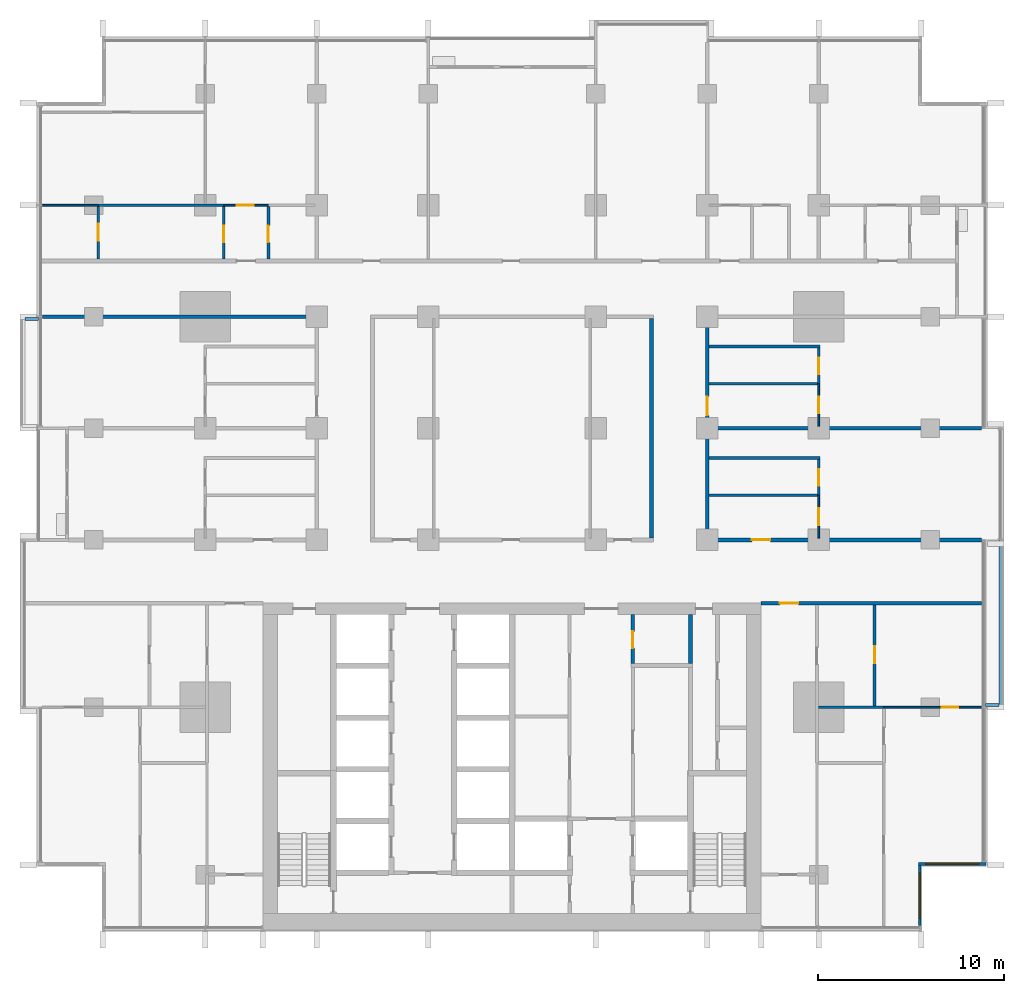
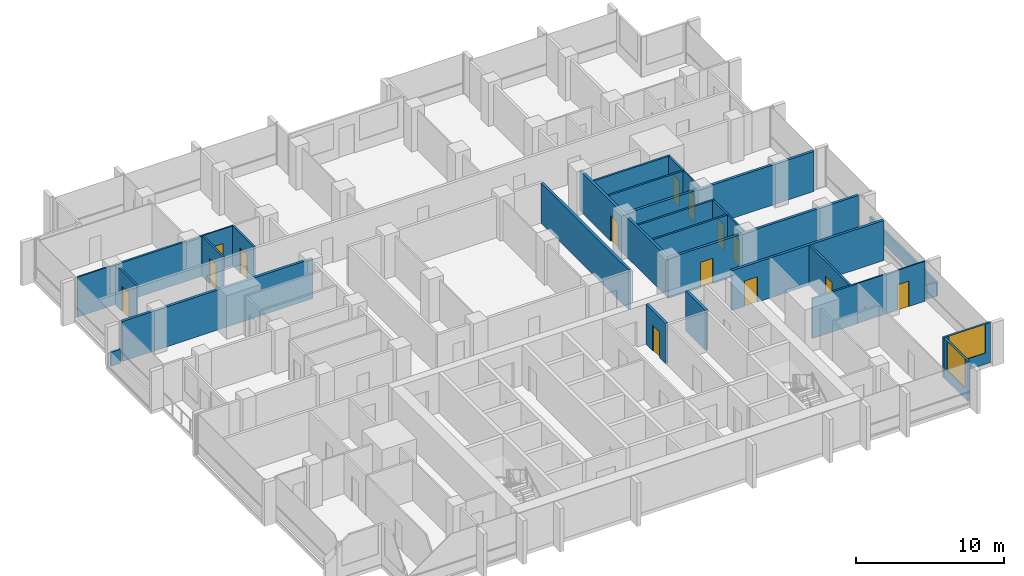
# One storey, part 10 of 17: 30 walls, 14 doors, 2 windows, 16 openings.
"""IFC4 building model written with IfcOpenShell, lengths in metres."""

from ifc_helpers import new_model, si_unit, direction, frame, frame_2d, origin, place, context, subcontext, project, spatial, rectangle, extrude, material, layer, layer_set, type_object, element, fill, save


model = new_model("IFC4")

# Units and contexts
model_context = context("Model", 3, precision=1e-05, world=origin(), true_north=direction((0.0, 1.0)))
body_context = subcontext(model_context, "Body", "Model", "MODEL_VIEW")
ifc_project = project(units=[si_unit("LENGTHUNIT", "METRE"), si_unit("AREAUNIT", "SQUARE_METRE"), si_unit("VOLUMEUNIT", "CUBIC_METRE"), si_unit("PLANEANGLEUNIT", "RADIAN"), si_unit("MASSUNIT", "GRAM", prefix="KILO")], contexts=[model_context])

# Site, building, storey
site_placement = place(None, origin())
site = spatial("IfcSite", under=ifc_project, at=site_placement, CompositionType="ELEMENT")
building_placement = place(site_placement, origin())
building = spatial("IfcBuilding", under=site, at=building_placement, Name="Finial Court Residences", CompositionType="ELEMENT")
storey_placement = place(building_placement, frame((0.0, 0.0, 113.5)))
storey = spatial("IfcBuildingStorey", under=building, at=storey_placement, Name="L28", CompositionType="ELEMENT", Elevation=113.5)

# Wall
ifc_material_1 = material(Name="Gypsum board")
ifc_layer_1 = layer(ifc_material_1, 0.02490234375)
ifc_material_2 = material(Name="Acoustic mineral wool in double frame")
ifc_layer_2 = layer(ifc_material_2, 0.14990234375)
ifc_layer_3 = layer(ifc_material_1, 0.02490234375)
ifc_layer_set_1 = layer_set([ifc_layer_1, ifc_layer_2, ifc_layer_3], Name="Acoustic party wall 200, 1 hour")
wall_type_1 = type_object("IfcWallType", Name="Acoustic party wall 200, 1 hour", PredefinedType="PARTITIONING", material=ifc_layer_set_1)
wall_1_placement = place(storey_placement, frame((10.60009765625, 1.5, 0.0), z_axis=(0.0, 0.0, 1.0), x_axis=(1.0, 0.0, 0.0)))
element("IfcWall", 1, at=wall_1_placement, inside=storey, type_object=wall_type_1, Name="Partition L28-018", PredefinedType="PARTITIONING", context=body_context, shape_type="SweptSolid", body=[
    extrude(rectangle(XDim=14.64990234375, YDim=0.199951171875, at=frame_2d((7.324951171875, 0.0))), origin(), (0.0, 0.0, 1.0), 3.300048828125),
])

# Wall, opening, door
ifc_layer_4 = layer(ifc_material_1, 0.02490234375)
ifc_layer_5 = layer(ifc_material_2, 0.14990234375)
ifc_layer_6 = layer(ifc_material_1, 0.02490234375)
ifc_layer_set_2 = layer_set([ifc_layer_4, ifc_layer_5, ifc_layer_6], Name="Corridor wall 200, 1 hour")
wall_type_2 = type_object("IfcWallType", Name="Corridor wall 200, 1 hour", PredefinedType="PARTITIONING", material=ifc_layer_set_2)
wall_2_placement = place(storey_placement, frame((13.39990234375, -7.89990234375, 0.0), z_axis=(0.0, 0.0, 1.0), x_axis=(1.0, 0.0, 0.0)))
wall_2 = element("IfcWall", 2, at=wall_2_placement, inside=storey, type_object=wall_type_2, Name="Partition L28-009", PredefinedType="PARTITIONING", context=body_context, shape_type="SweptSolid", body=[
    extrude(rectangle(XDim=11.85009765625, YDim=0.199951171875, at=frame_2d((5.925048828125, 0.0))), origin(), (0.0, 0.0, 1.0), 3.300048828125),
])
opening_1_placement = place(wall_2_placement, frame((1.0, 0.0, 0.0)))
opening_1 = element("IfcOpeningElement", 3, at=opening_1_placement, cuts=wall_2, Name="Opening L28-D006", PredefinedType="OPENING", context=body_context, shape_type="SweptSolid", body=[
    extrude(rectangle(XDim=1.0, YDim=2.10009765625, at=frame_2d((0.5, 1.050048828125))), frame((0.0, 0.10986328125, 0.0), z_axis=(0.0, -1.0, 0.0), x_axis=(1.0, 0.0, 0.0)), (0.0, 0.0, 1.0), 0.219970703125),
])
ifc_material_3 = material(Name="Timber door leaf in hollow metal frame", Category="wood")
door_type_1 = type_object("IfcDoorType", Name="Fire door set 1000 x 2100, 30 minutes", OperationType="SINGLE_SWING_LEFT", PredefinedType="DOOR", material=ifc_material_3)
door_1_placement = place(opening_1_placement, origin())
door_1 = element("IfcDoor", 4, at=door_1_placement, inside=storey, type_object=door_type_1, Name="Door L28-D006", OperationType="SINGLE_SWING_LEFT", OverallHeight=2.10009765625, OverallWidth=1.0, PredefinedType="DOOR", context=body_context, shape_type="SweptSolid", body=[
    extrude(rectangle(XDim=1.0, YDim=2.10009765625, at=frame_2d((0.5, 1.050048828125))), frame((0.0, 0.02490234375, 0.0), z_axis=(0.0, -1.0, 0.0), x_axis=(1.0, 0.0, 0.0)), (0.0, 0.0, 1.0), 0.050048828125),
])
fill(opening_1, door_1)

wall_3_placement = place(storey_placement, frame((10.39990234375, -4.5, 0.0), z_axis=(0.0, 0.0, 1.0), x_axis=(1.0, 0.0, 0.0)))
wall_3 = element("IfcWall", 5, at=wall_3_placement, inside=storey, type_object=wall_type_2, Name="Partition L28-012", PredefinedType="PARTITIONING", context=body_context, shape_type="SweptSolid", body=[
    extrude(rectangle(XDim=14.85009765625, YDim=0.199951171875, at=frame_2d((7.425048828125, 0.0))), origin(), (0.0, 0.0, 1.0), 3.300048828125),
])
opening_2_placement = place(wall_3_placement, frame((2.5, 0.0, 0.0)))
opening_2 = element("IfcOpeningElement", 6, at=opening_2_placement, cuts=wall_3, Name="Opening L28-D011", PredefinedType="OPENING", context=body_context, shape_type="SweptSolid", body=[
    extrude(rectangle(XDim=1.0, YDim=2.10009765625, at=frame_2d((0.5, 1.050048828125))), frame((0.0, 0.10986328125, 0.0), z_axis=(0.0, -1.0, 0.0), x_axis=(1.0, 0.0, 0.0)), (0.0, 0.0, 1.0), 0.219970703125),
])
door_2_placement = place(opening_2_placement, origin())
door_2 = element("IfcDoor", 7, at=door_2_placement, inside=storey, type_object=door_type_1, Name="Door L28-D011", OperationType="SINGLE_SWING_RIGHT", OverallHeight=2.10009765625, OverallWidth=1.0, PredefinedType="DOOR", context=body_context, shape_type="SweptSolid", body=[
    extrude(rectangle(XDim=1.0, YDim=2.10009765625, at=frame_2d((0.5, 1.050048828125))), frame((0.0, 0.02490234375, 0.0), z_axis=(0.0, -1.0, 0.0), x_axis=(1.0, 0.0, 0.0)), (0.0, 0.0, 1.0), 0.050048828125),
])
fill(opening_2, door_2)

# Walls
wall_4_placement = place(storey_placement, frame((-25.25, 7.5, 0.0), z_axis=(0.0, 0.0, 1.0), x_axis=(1.0, 0.0, 0.0)))
element("IfcWall", 8, at=wall_4_placement, inside=storey, type_object=wall_type_2, Name="Partition L28-023", PredefinedType="PARTITIONING", context=body_context, shape_type="SweptSolid", body=[
    extrude(rectangle(XDim=14.85009765625, YDim=0.199951171875, at=frame_2d((7.425048828125, 0.0))), origin(), (0.0, 0.0, 1.0), 3.300048828125),
])
wall_5_placement = place(storey_placement, frame((7.5, -4.39990234375, 0.0), z_axis=(0.0, 0.0, 1.0), x_axis=(0.0, 1.0, 0.0)))
element("IfcWall", 9, at=wall_5_placement, inside=storey, type_object=wall_type_2, Name="Partition L28-058", PredefinedType="PARTITIONING", context=body_context, shape_type="SweptSolid", body=[
    extrude(rectangle(XDim=11.7998046875, YDim=0.199951171875, at=frame_2d((5.89990234375, 0.0))), origin(), (0.0, 0.0, 1.0), 3.300048828125),
])

# Wall, opening, door
wall_6_placement = place(storey_placement, frame((10.5, -4.39990234375, 0.0), z_axis=(0.0, 0.0, 1.0), x_axis=(0.0, 1.0, 0.0)))
wall_6 = element("IfcWall", 10, at=wall_6_placement, inside=storey, type_object=wall_type_2, Name="Partition L28-059", PredefinedType="PARTITIONING", context=body_context, shape_type="SweptSolid", body=[
    extrude(rectangle(XDim=11.7998046875, YDim=0.199951171875, at=frame_2d((5.89990234375, 0.0))), origin(), (0.0, 0.0, 1.0), 3.300048828125),
])
opening_3_placement = place(wall_6_placement, frame((6.60009765625, 0.0, 0.0)))
opening_3 = element("IfcOpeningElement", 11, at=opening_3_placement, cuts=wall_6, Name="Opening L28-D036", PredefinedType="OPENING", context=body_context, shape_type="SweptSolid", body=[
    extrude(rectangle(XDim=1.0, YDim=2.10009765625, at=frame_2d((0.5, 1.050048828125))), frame((0.0, 0.10986328125, 0.0), z_axis=(0.0, -1.0, 0.0), x_axis=(1.0, 0.0, 0.0)), (0.0, 0.0, 1.0), 0.219970703125),
])
door_3_placement = place(opening_3_placement, origin())
door_3 = element("IfcDoor", 12, at=door_3_placement, inside=storey, type_object=door_type_1, Name="Door L28-D036", OperationType="SINGLE_SWING_RIGHT", OverallHeight=2.10009765625, OverallWidth=1.0, PredefinedType="DOOR", context=body_context, shape_type="SweptSolid", body=[
    extrude(rectangle(XDim=1.0, YDim=2.10009765625, at=frame_2d((0.5, 1.050048828125))), frame((0.0, 0.02490234375, 0.0), z_axis=(0.0, -1.0, 0.0), x_axis=(1.0, 0.0, 0.0)), (0.0, 0.0, 1.0), 0.050048828125),
])
fill(opening_3, door_3)

ifc_layer_7 = layer(ifc_material_1, 0.012451171875)
ifc_material_4 = material(Name="Mineral wool in light-gauge frame")
ifc_layer_8 = layer(ifc_material_4, 0.074951171875)
ifc_layer_9 = layer(ifc_material_1, 0.012451171875)
ifc_layer_set_3 = layer_set([ifc_layer_7, ifc_layer_8, ifc_layer_9], Name="Gypsum board partition 100")
wall_type_3 = type_object("IfcWallType", Name="Gypsum board partition 100", PredefinedType="PARTITIONING", material=ifc_layer_set_3)
wall_7_placement = place(storey_placement, frame((20.0, -13.5, 0.0), z_axis=(0.0, 0.0, 1.0), x_axis=(1.0, 0.0, 0.0)))
wall_7 = element("IfcWall", 13, at=wall_7_placement, inside=storey, type_object=wall_type_3, Name="Partition L28-005", PredefinedType="PARTITIONING", context=body_context, shape_type="SweptSolid", body=[
    extrude(rectangle(XDim=5.25, YDim=0.10009765625, at=frame_2d((2.625, 0.0))), origin(), (0.0, 0.0, 1.0), 3.300048828125),
])
opening_4_placement = place(wall_7_placement, frame((3.10009765625, 0.0, 0.0)))
opening_4 = element("IfcOpeningElement", 14, at=opening_4_placement, cuts=wall_7, Name="Opening L28-D004", PredefinedType="OPENING", context=body_context, shape_type="SweptSolid", body=[
    extrude(rectangle(XDim=0.89990234375, YDim=2.10009765625, at=frame_2d((0.449951171875, 1.050048828125))), frame((0.0, 0.06005859375, 0.0), z_axis=(0.0, -1.0, 0.0), x_axis=(1.0, 0.0, 0.0)), (0.0, 0.0, 1.0), 0.1201171875),
])
ifc_material_5 = material(Name="Timber door leaf in timber frame", Category="wood")
door_type_2 = type_object("IfcDoorType", Name="Door set 900 x 2100", OperationType="SINGLE_SWING_LEFT", PredefinedType="DOOR", material=ifc_material_5)
door_4_placement = place(opening_4_placement, origin())
door_4 = element("IfcDoor", 15, at=door_4_placement, inside=storey, type_object=door_type_2, Name="Door L28-D004", OperationType="SINGLE_SWING_RIGHT", OverallHeight=2.10009765625, OverallWidth=0.89990234375, PredefinedType="DOOR", context=body_context, shape_type="SweptSolid", body=[
    extrude(rectangle(XDim=0.89990234375, YDim=2.10009765625, at=frame_2d((0.449951171875, 1.050048828125))), frame((0.0, 0.02490234375, 0.0), z_axis=(0.0, -1.0, 0.0), x_axis=(1.0, 0.0, 0.0)), (0.0, 0.0, 1.0), 0.050048828125),
])
fill(opening_4, door_4)

# Wall
wall_8_placement = place(storey_placement, frame((-25.25, 13.5, 0.0), z_axis=(0.0, 0.0, 1.0), x_axis=(1.0, 0.0, 0.0)))
element("IfcWall", 16, at=wall_8_placement, inside=storey, type_object=wall_type_3, Name="Partition L28-027", PredefinedType="PARTITIONING", context=body_context, shape_type="SweptSolid", body=[
    extrude(rectangle(XDim=3.0, YDim=0.10009765625, at=frame_2d((1.5, 0.0))), origin(), (0.0, 0.0, 1.0), 3.300048828125),
])

# Wall, opening, door
wall_9_placement = place(storey_placement, frame((-15.5, 13.5, 0.0), z_axis=(0.0, 0.0, 1.0), x_axis=(1.0, 0.0, 0.0)))
wall_9 = element("IfcWall", 17, at=wall_9_placement, inside=storey, type_object=wall_type_3, Name="Partition L28-028", PredefinedType="PARTITIONING", context=body_context, shape_type="SweptSolid", body=[
    extrude(rectangle(XDim=2.39990234375, YDim=0.10009765625, at=frame_2d((1.199951171875, 0.0))), origin(), (0.0, 0.0, 1.0), 3.300048828125),
])
opening_5_placement = place(wall_9_placement, frame((0.699951171875, 0.0, 0.0)))
opening_5 = element("IfcOpeningElement", 18, at=opening_5_placement, cuts=wall_9, Name="Opening L28-D018", PredefinedType="OPENING", context=body_context, shape_type="SweptSolid", body=[
    extrude(rectangle(XDim=0.89990234375, YDim=2.10009765625, at=frame_2d((0.449951171875, 1.050048828125))), frame((0.0, 0.06005859375, 0.0), z_axis=(0.0, -1.0, 0.0), x_axis=(1.0, 0.0, 0.0)), (0.0, 0.0, 1.0), 0.1201171875),
])
door_5_placement = place(opening_5_placement, origin())
door_5 = element("IfcDoor", 19, at=door_5_placement, inside=storey, type_object=door_type_2, Name="Door L28-D018", OperationType="SINGLE_SWING_RIGHT", OverallHeight=2.10009765625, OverallWidth=0.89990234375, PredefinedType="DOOR", context=body_context, shape_type="SweptSolid", body=[
    extrude(rectangle(XDim=0.89990234375, YDim=2.10009765625, at=frame_2d((0.449951171875, 1.050048828125))), frame((0.0, 0.02490234375, 0.0), z_axis=(0.0, -1.0, 0.0), x_axis=(1.0, 0.0, 0.0)), (0.0, 0.0, 1.0), 0.050048828125),
])
fill(opening_5, door_5)

wall_10_placement = place(storey_placement, frame((16.5, -4.39990234375, 0.0), z_axis=(0.0, 0.0, 1.0), x_axis=(0.0, 1.0, 0.0)))
wall_10 = element("IfcWall", 20, at=wall_10_placement, inside=storey, type_object=wall_type_3, Name="Partition L28-066", PredefinedType="PARTITIONING", context=body_context, shape_type="SweptSolid", body=[
    extrude(rectangle(XDim=2.2998046875, YDim=0.10009765625, at=frame_2d((1.14990234375, 0.0))), origin(), (0.0, 0.0, 1.0), 3.300048828125),
])
opening_6_placement = place(wall_10_placement, frame((0.699951171875, 0.0, 0.0)))
opening_6 = element("IfcOpeningElement", 21, at=opening_6_placement, cuts=wall_10, Name="Opening L28-D038", PredefinedType="OPENING", context=body_context, shape_type="SweptSolid", body=[
    extrude(rectangle(XDim=0.89990234375, YDim=2.10009765625, at=frame_2d((0.449951171875, 1.050048828125))), frame((0.0, 0.06005859375, 0.0), z_axis=(0.0, -1.0, 0.0), x_axis=(1.0, 0.0, 0.0)), (0.0, 0.0, 1.0), 0.1201171875),
])
door_6_placement = place(opening_6_placement, origin())
door_6 = element("IfcDoor", 22, at=door_6_placement, inside=storey, type_object=door_type_2, Name="Door L28-D038", OperationType="SINGLE_SWING_LEFT", OverallHeight=2.10009765625, OverallWidth=0.89990234375, PredefinedType="DOOR", context=body_context, shape_type="SweptSolid", body=[
    extrude(rectangle(XDim=0.89990234375, YDim=2.10009765625, at=frame_2d((0.449951171875, 1.050048828125))), frame((0.0, 0.02490234375, 0.0), z_axis=(0.0, -1.0, 0.0), x_axis=(1.0, 0.0, 0.0)), (0.0, 0.0, 1.0), 0.050048828125),
])
fill(opening_6, door_6)

wall_11_placement = place(storey_placement, frame((16.5, 1.60009765625, 0.0), z_axis=(0.0, 0.0, 1.0), x_axis=(0.0, 1.0, 0.0)))
wall_11 = element("IfcWall", 23, at=wall_11_placement, inside=storey, type_object=wall_type_3, Name="Partition L28-067", PredefinedType="PARTITIONING", context=body_context, shape_type="SweptSolid", body=[
    extrude(rectangle(XDim=2.2998046875, YDim=0.10009765625, at=frame_2d((1.14990234375, 0.0))), origin(), (0.0, 0.0, 1.0), 3.300048828125),
])
opening_7_placement = place(wall_11_placement, frame((0.699951171875, 0.0, 0.0)))
opening_7 = element("IfcOpeningElement", 24, at=opening_7_placement, cuts=wall_11, Name="Opening L28-D039", PredefinedType="OPENING", context=body_context, shape_type="SweptSolid", body=[
    extrude(rectangle(XDim=0.89990234375, YDim=2.10009765625, at=frame_2d((0.449951171875, 1.050048828125))), frame((0.0, 0.06005859375, 0.0), z_axis=(0.0, -1.0, 0.0), x_axis=(1.0, 0.0, 0.0)), (0.0, 0.0, 1.0), 0.1201171875),
])
door_7_placement = place(opening_7_placement, origin())
door_7 = element("IfcDoor", 25, at=door_7_placement, inside=storey, type_object=door_type_2, Name="Door L28-D039", OperationType="SINGLE_SWING_RIGHT", OverallHeight=2.10009765625, OverallWidth=0.89990234375, PredefinedType="DOOR", context=body_context, shape_type="SweptSolid", body=[
    extrude(rectangle(XDim=0.89990234375, YDim=2.10009765625, at=frame_2d((0.449951171875, 1.050048828125))), frame((0.0, 0.02490234375, 0.0), z_axis=(0.0, -1.0, 0.0), x_axis=(1.0, 0.0, 0.0)), (0.0, 0.0, 1.0), 0.050048828125),
])
fill(opening_7, door_7)

# Walls
ifc_material_6 = material(Name="Moisture-resistant gypsum board")
ifc_layer_10 = layer(ifc_material_6, 0.012451171875)
ifc_layer_11 = layer(ifc_material_4, 0.125)
ifc_layer_12 = layer(ifc_material_6, 0.012451171875)
ifc_layer_set_4 = layer_set([ifc_layer_10, ifc_layer_11, ifc_layer_12], Name="Gypsum board wet-area partition 150")
wall_type_4 = type_object("IfcWallType", Name="Gypsum board wet-area partition 150", PredefinedType="PARTITIONING", material=ifc_layer_set_4)
wall_12_placement = place(storey_placement, frame((16.47509765625, -13.5, 0.0), z_axis=(0.0, 0.0, 1.0), x_axis=(1.0, 0.0, 0.0)))
element("IfcWall", 26, at=wall_12_placement, inside=storey, type_object=wall_type_4, Name="Partition L28-007", PredefinedType="PARTITIONING", context=body_context, shape_type="SweptSolid", body=[
    extrude(rectangle(XDim=3.52490234375, YDim=0.14990234375, at=frame_2d((1.762451171875, 0.0))), origin(), (0.0, 0.0, 1.0), 3.300048828125),
])
wall_13_placement = place(storey_placement, frame((10.60009765625, -2.10009765625, 0.0), z_axis=(0.0, 0.0, 1.0), x_axis=(1.0, 0.0, 0.0)))
element("IfcWall", 27, at=wall_13_placement, inside=storey, type_object=wall_type_4, Name="Partition L28-014", PredefinedType="PARTITIONING", context=body_context, shape_type="SweptSolid", body=[
    extrude(rectangle(XDim=5.824951171875, YDim=0.14990234375, at=frame_2d((2.91259765625, 0.0))), origin(), (0.0, 0.0, 1.0), 3.300048828125),
])
wall_14_placement = place(storey_placement, frame((10.60009765625, -0.10009765625, 0.0), z_axis=(0.0, 0.0, 1.0), x_axis=(1.0, 0.0, 0.0)))
element("IfcWall", 28, at=wall_14_placement, inside=storey, type_object=wall_type_4, Name="Partition L28-016", PredefinedType="PARTITIONING", context=body_context, shape_type="SweptSolid", body=[
    extrude(rectangle(XDim=5.974853515625, YDim=0.14990234375, at=frame_2d((2.9873046875, 0.0))), origin(), (0.0, 0.0, 1.0), 3.300048828125),
])
wall_15_placement = place(storey_placement, frame((10.60009765625, 3.89990234375, 0.0), z_axis=(0.0, 0.0, 1.0), x_axis=(1.0, 0.0, 0.0)))
element("IfcWall", 29, at=wall_15_placement, inside=storey, type_object=wall_type_4, Name="Partition L28-020", PredefinedType="PARTITIONING", context=body_context, shape_type="SweptSolid", body=[
    extrude(rectangle(XDim=5.824951171875, YDim=0.14990234375, at=frame_2d((2.91259765625, 0.0))), origin(), (0.0, 0.0, 1.0), 3.300048828125),
])
wall_16_placement = place(storey_placement, frame((10.60009765625, 5.89990234375, 0.0), z_axis=(0.0, 0.0, 1.0), x_axis=(1.0, 0.0, 0.0)))
element("IfcWall", 30, at=wall_16_placement, inside=storey, type_object=wall_type_4, Name="Partition L28-022", PredefinedType="PARTITIONING", context=body_context, shape_type="SweptSolid", body=[
    extrude(rectangle(XDim=5.974853515625, YDim=0.14990234375, at=frame_2d((2.9873046875, 0.0))), origin(), (0.0, 0.0, 1.0), 3.300048828125),
])
wall_17_placement = place(storey_placement, frame((-22.25, 13.5, 0.0), z_axis=(0.0, 0.0, 1.0), x_axis=(1.0, 0.0, 0.0)))
element("IfcWall", 31, at=wall_17_placement, inside=storey, type_object=wall_type_4, Name="Partition L28-031", PredefinedType="PARTITIONING", context=body_context, shape_type="SweptSolid", body=[
    extrude(rectangle(XDim=6.75, YDim=0.14990234375, at=frame_2d((3.375, 0.0))), origin(), (0.0, 0.0, 1.0), 3.300048828125),
])

# Wall, opening, door
wall_18_placement = place(storey_placement, frame((-22.25, 10.60009765625, 0.0), z_axis=(0.0, 0.0, 1.0), x_axis=(0.0, 1.0, 0.0)))
wall_18 = element("IfcWall", 32, at=wall_18_placement, inside=storey, type_object=wall_type_4, Name="Partition L28-037", PredefinedType="PARTITIONING", context=body_context, shape_type="SweptSolid", body=[
    extrude(rectangle(XDim=2.824951171875, YDim=0.14990234375, at=frame_2d((1.41259765625, 0.0))), origin(), (0.0, 0.0, 1.0), 3.300048828125),
])
opening_8_placement = place(wall_18_placement, frame((1.0, 0.0, 0.0)))
opening_8 = element("IfcOpeningElement", 33, at=opening_8_placement, cuts=wall_18, Name="Opening L28-D023", PredefinedType="OPENING", context=body_context, shape_type="SweptSolid", body=[
    extrude(rectangle(XDim=0.89990234375, YDim=2.10009765625, at=frame_2d((0.449951171875, 1.050048828125))), frame((0.0, 0.0849609375, 0.0), z_axis=(0.0, -1.0, 0.0), x_axis=(1.0, 0.0, 0.0)), (0.0, 0.0, 1.0), 0.169921875),
])
door_8_placement = place(opening_8_placement, origin())
door_8 = element("IfcDoor", 34, at=door_8_placement, inside=storey, type_object=door_type_2, Name="Door L28-D023", OperationType="SINGLE_SWING_LEFT", OverallHeight=2.10009765625, OverallWidth=0.89990234375, PredefinedType="DOOR", context=body_context, shape_type="SweptSolid", body=[
    extrude(rectangle(XDim=0.89990234375, YDim=2.10009765625, at=frame_2d((0.449951171875, 1.050048828125))), frame((0.0, 0.02490234375, 0.0), z_axis=(0.0, -1.0, 0.0), x_axis=(1.0, 0.0, 0.0)), (0.0, 0.0, 1.0), 0.050048828125),
])
fill(opening_8, door_8)

wall_19_placement = place(storey_placement, frame((-15.5, 10.60009765625, 0.0), z_axis=(0.0, 0.0, 1.0), x_axis=(0.0, 1.0, 0.0)))
wall_19 = element("IfcWall", 35, at=wall_19_placement, inside=storey, type_object=wall_type_4, Name="Partition L28-049", PredefinedType="PARTITIONING", context=body_context, shape_type="SweptSolid", body=[
    extrude(rectangle(XDim=2.824951171875, YDim=0.14990234375, at=frame_2d((1.41259765625, 0.0))), origin(), (0.0, 0.0, 1.0), 3.300048828125),
])
opening_9_placement = place(wall_19_placement, frame((0.89990234375, 0.0, 0.0)))
opening_9 = element("IfcOpeningElement", 36, at=opening_9_placement, cuts=wall_19, Name="Opening L28-D033", PredefinedType="OPENING", context=body_context, shape_type="SweptSolid", body=[
    extrude(rectangle(XDim=0.89990234375, YDim=2.10009765625, at=frame_2d((0.449951171875, 1.050048828125))), frame((0.0, 0.0849609375, 0.0), z_axis=(0.0, -1.0, 0.0), x_axis=(1.0, 0.0, 0.0)), (0.0, 0.0, 1.0), 0.169921875),
])
door_9_placement = place(opening_9_placement, origin())
door_9 = element("IfcDoor", 37, at=door_9_placement, inside=storey, type_object=door_type_2, Name="Door L28-D033", OperationType="SINGLE_SWING_RIGHT", OverallHeight=2.10009765625, OverallWidth=0.89990234375, PredefinedType="DOOR", context=body_context, shape_type="SweptSolid", body=[
    extrude(rectangle(XDim=0.89990234375, YDim=2.10009765625, at=frame_2d((0.449951171875, 1.050048828125))), frame((0.0, 0.02490234375, 0.0), z_axis=(0.0, -1.0, 0.0), x_axis=(1.0, 0.0, 0.0)), (0.0, 0.0, 1.0), 0.050048828125),
])
fill(opening_9, door_9)

wall_20_placement = place(storey_placement, frame((-13.10009765625, 10.60009765625, 0.0), z_axis=(0.0, 0.0, 1.0), x_axis=(0.0, 1.0, 0.0)))
wall_20 = element("IfcWall", 38, at=wall_20_placement, inside=storey, type_object=wall_type_4, Name="Partition L28-050", PredefinedType="PARTITIONING", context=body_context, shape_type="SweptSolid", body=[
    extrude(rectangle(XDim=2.824951171875, YDim=0.14990234375, at=frame_2d((1.41259765625, 0.0))), origin(), (0.0, 0.0, 1.0), 3.300048828125),
])
opening_10_placement = place(wall_20_placement, frame((0.89990234375, 0.0, 0.0)))
opening_10 = element("IfcOpeningElement", 39, at=opening_10_placement, cuts=wall_20, Name="Opening L28-D034", PredefinedType="OPENING", context=body_context, shape_type="SweptSolid", body=[
    extrude(rectangle(XDim=0.89990234375, YDim=2.10009765625, at=frame_2d((0.449951171875, 1.050048828125))), frame((0.0, 0.0849609375, 0.0), z_axis=(0.0, -1.0, 0.0), x_axis=(1.0, 0.0, 0.0)), (0.0, 0.0, 1.0), 0.169921875),
])
door_10_placement = place(opening_10_placement, origin())
door_10 = element("IfcDoor", 40, at=door_10_placement, inside=storey, type_object=door_type_2, Name="Door L28-D034", OperationType="SINGLE_SWING_LEFT", OverallHeight=2.10009765625, OverallWidth=0.89990234375, PredefinedType="DOOR", context=body_context, shape_type="SweptSolid", body=[
    extrude(rectangle(XDim=0.89990234375, YDim=2.10009765625, at=frame_2d((0.449951171875, 1.050048828125))), frame((0.0, 0.02490234375, 0.0), z_axis=(0.0, -1.0, 0.0), x_axis=(1.0, 0.0, 0.0)), (0.0, 0.0, 1.0), 0.050048828125),
])
fill(opening_10, door_10)

wall_21_placement = place(storey_placement, frame((16.5, -2.10009765625, 0.0), z_axis=(0.0, 0.0, 1.0), x_axis=(0.0, 1.0, 0.0)))
wall_21 = element("IfcWall", 41, at=wall_21_placement, inside=storey, type_object=wall_type_4, Name="Partition L28-069", PredefinedType="PARTITIONING", context=body_context, shape_type="SweptSolid", body=[
    extrude(rectangle(XDim=1.925048828125, YDim=0.14990234375, at=frame_2d((0.96240234375, 0.0))), origin(), (0.0, 0.0, 1.0), 3.300048828125),
])
opening_11_placement = place(wall_21_placement, frame((0.5, 0.0, 0.0)))
opening_11 = element("IfcOpeningElement", 42, at=opening_11_placement, cuts=wall_21, Name="Opening L28-D040", PredefinedType="OPENING", context=body_context, shape_type="SweptSolid", body=[
    extrude(rectangle(XDim=0.89990234375, YDim=2.10009765625, at=frame_2d((0.449951171875, 1.050048828125))), frame((0.0, 0.0849609375, 0.0), z_axis=(0.0, -1.0, 0.0), x_axis=(1.0, 0.0, 0.0)), (0.0, 0.0, 1.0), 0.169921875),
])
door_11_placement = place(opening_11_placement, origin())
door_11 = element("IfcDoor", 43, at=door_11_placement, inside=storey, type_object=door_type_2, Name="Door L28-D040", OperationType="SINGLE_SWING_RIGHT", OverallHeight=2.10009765625, OverallWidth=0.89990234375, PredefinedType="DOOR", context=body_context, shape_type="SweptSolid", body=[
    extrude(rectangle(XDim=0.89990234375, YDim=2.10009765625, at=frame_2d((0.449951171875, 1.050048828125))), frame((0.0, 0.02490234375, 0.0), z_axis=(0.0, -1.0, 0.0), x_axis=(1.0, 0.0, 0.0)), (0.0, 0.0, 1.0), 0.050048828125),
])
fill(opening_11, door_11)

wall_22_placement = place(storey_placement, frame((16.5, 3.89990234375, 0.0), z_axis=(0.0, 0.0, 1.0), x_axis=(0.0, 1.0, 0.0)))
wall_22 = element("IfcWall", 44, at=wall_22_placement, inside=storey, type_object=wall_type_4, Name="Partition L28-070", PredefinedType="PARTITIONING", context=body_context, shape_type="SweptSolid", body=[
    extrude(rectangle(XDim=1.925048828125, YDim=0.14990234375, at=frame_2d((0.96240234375, 0.0))), origin(), (0.0, 0.0, 1.0), 3.300048828125),
])
opening_12_placement = place(wall_22_placement, frame((0.5, 0.0, 0.0)))
opening_12 = element("IfcOpeningElement", 45, at=opening_12_placement, cuts=wall_22, Name="Opening L28-D041", PredefinedType="OPENING", context=body_context, shape_type="SweptSolid", body=[
    extrude(rectangle(XDim=0.89990234375, YDim=2.10009765625, at=frame_2d((0.449951171875, 1.050048828125))), frame((0.0, 0.0849609375, 0.0), z_axis=(0.0, -1.0, 0.0), x_axis=(1.0, 0.0, 0.0)), (0.0, 0.0, 1.0), 0.169921875),
])
door_12_placement = place(opening_12_placement, origin())
door_12 = element("IfcDoor", 46, at=door_12_placement, inside=storey, type_object=door_type_2, Name="Door L28-D041", OperationType="SINGLE_SWING_RIGHT", OverallHeight=2.10009765625, OverallWidth=0.89990234375, PredefinedType="DOOR", context=body_context, shape_type="SweptSolid", body=[
    extrude(rectangle(XDim=0.89990234375, YDim=2.10009765625, at=frame_2d((0.449951171875, 1.050048828125))), frame((0.0, 0.02490234375, 0.0), z_axis=(0.0, -1.0, 0.0), x_axis=(1.0, 0.0, 0.0)), (0.0, 0.0, 1.0), 0.050048828125),
])
fill(opening_12, door_12)

wall_23_placement = place(storey_placement, frame((19.5, -13.425048828125, 0.0), z_axis=(0.0, 0.0, 1.0), x_axis=(0.0, 1.0, 0.0)))
wall_23 = element("IfcWall", 47, at=wall_23_placement, inside=storey, type_object=wall_type_4, Name="Partition L28-072", PredefinedType="PARTITIONING", context=body_context, shape_type="SweptSolid", body=[
    extrude(rectangle(XDim=5.425048828125, YDim=0.14990234375, at=frame_2d((2.71240234375, 0.0))), origin(), (0.0, 0.0, 1.0), 3.300048828125),
])
opening_13_placement = place(wall_23_placement, frame((2.300048828125, 0.0, 0.0)))
opening_13 = element("IfcOpeningElement", 48, at=opening_13_placement, cuts=wall_23, Name="Opening L28-D043", PredefinedType="OPENING", context=body_context, shape_type="SweptSolid", body=[
    extrude(rectangle(XDim=0.89990234375, YDim=2.10009765625, at=frame_2d((0.449951171875, 1.050048828125))), frame((0.0, 0.0849609375, 0.0), z_axis=(0.0, -1.0, 0.0), x_axis=(1.0, 0.0, 0.0)), (0.0, 0.0, 1.0), 0.169921875),
])
door_13_placement = place(opening_13_placement, origin())
door_13 = element("IfcDoor", 49, at=door_13_placement, inside=storey, type_object=door_type_2, Name="Door L28-D043", OperationType="SINGLE_SWING_RIGHT", OverallHeight=2.10009765625, OverallWidth=0.89990234375, PredefinedType="DOOR", context=body_context, shape_type="SweptSolid", body=[
    extrude(rectangle(XDim=0.89990234375, YDim=2.10009765625, at=frame_2d((0.449951171875, 1.050048828125))), frame((0.0, 0.02490234375, 0.0), z_axis=(0.0, -1.0, 0.0), x_axis=(1.0, 0.0, 0.0)), (0.0, 0.0, 1.0), 0.050048828125),
])
fill(opening_13, door_13)

# Walls
ifc_material_7 = material(Name="Concrete C35/45", Category="concrete")
ifc_layer_13 = layer(ifc_material_7, 0.14990234375)
ifc_layer_set_5 = layer_set([ifc_layer_13], Name="Ledge parapet, Concrete C35/45 150")
wall_type_5 = type_object("IfcWallType", Name="Ledge parapet, Concrete C35/45 150", PredefinedType="PARAPET", material=ifc_layer_set_5)
wall_24_placement = place(storey_placement, frame((-26.199951171875, 7.375, 0.0), z_axis=(0.0, 0.0, 1.0), x_axis=(1.0, 0.0, 0.0)))
element("IfcWall", 50, at=wall_24_placement, inside=storey, type_object=wall_type_5, Name="E-L28-LED1-P3", PredefinedType="PARAPET", context=body_context, shape_type="SweptSolid", body=[
    extrude(rectangle(XDim=0.739990234375, YDim=0.14990234375, at=frame_2d((0.3701171875, 0.0))), origin(), (0.0, 0.0, 1.0), 1.14990234375),
])
wall_25_placement = place(storey_placement, frame((26.27490234375, -4.4599609375, 0.0), z_axis=(0.0, 0.0, 1.0), x_axis=(0.0, -1.0, 0.0)))
element("IfcWall", 51, at=wall_25_placement, inside=storey, type_object=wall_type_5, Name="E-L28-LED2-P1", PredefinedType="PARAPET", context=body_context, shape_type="SweptSolid", body=[
    extrude(rectangle(XDim=8.989990234375, YDim=0.14990234375, at=frame_2d((4.4951171875, 0.0))), origin(), (0.0, 0.0, 1.0), 1.14990234375),
])
wall_26_placement = place(storey_placement, frame((26.199951171875, -13.375, 0.0), z_axis=(0.0, 0.0, 1.0), x_axis=(-1.0, 0.0, 0.0)))
element("IfcWall", 52, at=wall_26_placement, inside=storey, type_object=wall_type_5, Name="E-L28-LED2-P2", PredefinedType="PARAPET", context=body_context, shape_type="SweptSolid", body=[
    extrude(rectangle(XDim=0.739990234375, YDim=0.14990234375, at=frame_2d((0.3701171875, 0.0))), origin(), (0.0, 0.0, 1.0), 1.14990234375),
])

# Wall, opening, window
ifc_material_8 = material(Name="Natural limestone", Category="masonry")
ifc_layer_14 = layer(ifc_material_8, 0.14990234375)
ifc_layer_set_6 = layer_set([ifc_layer_14], Name="Limestone clad wall 150")
wall_type_6 = type_object("IfcWallType", Name="Limestone clad wall 150", PredefinedType="SOLIDWALL", material=ifc_layer_set_6)
wall_27_placement = place(storey_placement, frame((21.925048828125, -22.0, 0.0), z_axis=(0.0, 0.0, 1.0), x_axis=(0.0, -1.0, 0.0)))
wall_27 = element("IfcWall", 53, at=wall_27_placement, inside=storey, type_object=wall_type_6, Name="E-L28-NWE15", PredefinedType="SOLIDWALL", context=body_context, shape_type="SweptSolid", body=[
    extrude(rectangle(XDim=3.25, YDim=0.14990234375, at=frame_2d((1.625, 0.0))), origin(), (0.0, 0.0, 1.0), 3.300048828125),
])
opening_14_placement = place(wall_27_placement, frame((0.39990234375, 0.0, 0.89990234375)))
opening_14 = element("IfcOpeningElement", 54, at=opening_14_placement, cuts=wall_27, Name="Opening WE28-03", PredefinedType="OPENING", context=body_context, shape_type="SweptSolid", body=[
    extrude(rectangle(XDim=2.449951171875, YDim=2.39990234375, at=frame_2d((1.22509765625, 1.199951171875))), frame((0.0, 0.0849609375, 0.0), z_axis=(0.0, -1.0, 0.0), x_axis=(1.0, 0.0, 0.0)), (0.0, 0.0, 1.0), 0.169921875),
])
ifc_material_9 = material(Name="Clear low-e glass", Category="glass")
window_type_1 = type_object("IfcWindowType", Name="Corner window 2450 x 2400", PartitioningType="SINGLE_PANEL", PredefinedType="WINDOW", material=ifc_material_9)
window_1_placement = place(opening_14_placement, origin())
window_1 = element("IfcWindow", 55, at=window_1_placement, inside=storey, type_object=window_type_1, Name="E-L28-NWE15-W1", OverallHeight=2.39990234375, OverallWidth=2.449951171875, PartitioningType="SINGLE_PANEL", PredefinedType="WINDOW", context=body_context, shape_type="SweptSolid", body=[
    extrude(rectangle(XDim=2.449951171875, YDim=2.39990234375, at=frame_2d((1.22509765625, 1.199951171875))), frame((0.0, 0.030029296875, 0.0), z_axis=(0.0, -1.0, 0.0), x_axis=(1.0, 0.0, 0.0)), (0.0, 0.0, 1.0), 0.06005859375),
])
fill(opening_14, window_1)

wall_28_placement = place(storey_placement, frame((25.5, -21.925048828125, 0.0), z_axis=(0.0, 0.0, 1.0), x_axis=(-1.0, 0.0, 0.0)))
wall_28 = element("IfcWall", 56, at=wall_28_placement, inside=storey, type_object=wall_type_6, Name="E-L28-NWS16", PredefinedType="SOLIDWALL", context=body_context, shape_type="SweptSolid", body=[
    extrude(rectangle(XDim=3.64990234375, YDim=0.14990234375, at=frame_2d((1.824951171875, 0.0))), origin(), (0.0, 0.0, 1.0), 3.300048828125),
])
opening_15_placement = place(wall_28_placement, frame((0.39990234375, 0.0, 0.89990234375)))
opening_15 = element("IfcOpeningElement", 57, at=opening_15_placement, cuts=wall_28, Name="Opening WE28-04", PredefinedType="OPENING", context=body_context, shape_type="SweptSolid", body=[
    extrude(rectangle(XDim=2.85009765625, YDim=2.39990234375, at=frame_2d((1.425048828125, 1.199951171875))), frame((0.0, 0.0849609375, 0.0), z_axis=(0.0, -1.0, 0.0), x_axis=(1.0, 0.0, 0.0)), (0.0, 0.0, 1.0), 0.169921875),
])
window_type_2 = type_object("IfcWindowType", Name="Corner window 2850 x 2400", PartitioningType="SINGLE_PANEL", PredefinedType="WINDOW", material=ifc_material_9)
window_2_placement = place(opening_15_placement, origin())
window_2 = element("IfcWindow", 58, at=window_2_placement, inside=storey, type_object=window_type_2, Name="E-L28-NWS16-W1", OverallHeight=2.39990234375, OverallWidth=2.85009765625, PartitioningType="SINGLE_PANEL", PredefinedType="WINDOW", context=body_context, shape_type="SweptSolid", body=[
    extrude(rectangle(XDim=2.85009765625, YDim=2.39990234375, at=frame_2d((1.425048828125, 1.199951171875))), frame((0.0, 0.030029296875, 0.0), z_axis=(0.0, -1.0, 0.0), x_axis=(1.0, 0.0, 0.0)), (0.0, 0.0, 1.0), 0.06005859375),
])
fill(opening_15, window_2)

# Wall, opening, door
ifc_material_10 = material(Name="Fire-rated gypsum board partition")
ifc_layer_15 = layer(ifc_material_10, 0.199951171875)
ifc_layer_set_7 = layer_set([ifc_layer_15], Name="Riser room wall 200 EI 120")
wall_type_7 = type_object("IfcWallType", Name="Riser room wall 200 EI 120", PredefinedType="PARTITIONING", material=ifc_layer_set_7)
wall_29_placement = place(storey_placement, frame((6.5, -8.5, 0.0), z_axis=(0.0, 0.0, 1.0), x_axis=(0.0, -1.0, 0.0)))
wall_29 = element("IfcWall", 59, at=wall_29_placement, inside=storey, type_object=wall_type_7, Name="Core partition L28-33", PredefinedType="PARTITIONING", context=body_context, shape_type="SweptSolid", body=[
    extrude(rectangle(XDim=2.64990234375, YDim=0.199951171875, at=frame_2d((1.324951171875, 0.0))), origin(), (0.0, 0.0, 1.0), 3.300048828125),
])
opening_16_placement = place(wall_29_placement, frame((0.925048828125, 0.0, 0.0)))
opening_16 = element("IfcOpeningElement", 60, at=opening_16_placement, cuts=wall_29, Name="Opening L28-C08", PredefinedType="OPENING", context=body_context, shape_type="SweptSolid", body=[
    extrude(rectangle(XDim=0.89990234375, YDim=2.10009765625, at=frame_2d((0.449951171875, 1.050048828125))), frame((0.0, 0.10986328125, 0.0), z_axis=(0.0, -1.0, 0.0), x_axis=(1.0, 0.0, 0.0)), (0.0, 0.0, 1.0), 0.219970703125),
])
ifc_material_11 = material(Name="Steel fire door", Category="steel")
door_type_3 = type_object("IfcDoorType", Name="Riser room door 900 x 2100 EI 90", OperationType="NOTDEFINED", PredefinedType="DOOR", material=ifc_material_11)
door_14_placement = place(opening_16_placement, origin())
door_14 = element("IfcDoor", 61, at=door_14_placement, inside=storey, type_object=door_type_3, Name="Riser room door L28-C08", OperationType="SINGLE_SWING_RIGHT", OverallHeight=2.10009765625, OverallWidth=0.89990234375, PredefinedType="DOOR", context=body_context, shape_type="SweptSolid", body=[
    extrude(rectangle(XDim=0.89990234375, YDim=2.10009765625, at=frame_2d((0.449951171875, 1.050048828125))), frame((0.0, 0.02490234375, 0.0), z_axis=(0.0, -1.0, 0.0), x_axis=(1.0, 0.0, 0.0)), (0.0, 0.0, 1.0), 0.050048828125),
])
fill(opening_16, door_14)

# Wall
wall_30_placement = place(storey_placement, frame((9.60009765625, -11.14990234375, 0.0), z_axis=(0.0, 0.0, 1.0), x_axis=(0.0, 1.0, 0.0)))
element("IfcWall", 62, at=wall_30_placement, inside=storey, type_object=wall_type_7, Name="Core partition L28-36", PredefinedType="PARTITIONING", context=body_context, shape_type="SweptSolid", body=[
    extrude(rectangle(XDim=2.64990234375, YDim=0.199951171875, at=frame_2d((1.324951171875, 0.0))), origin(), (0.0, 0.0, 1.0), 3.300048828125),
])

save(model, "model.ifc")
